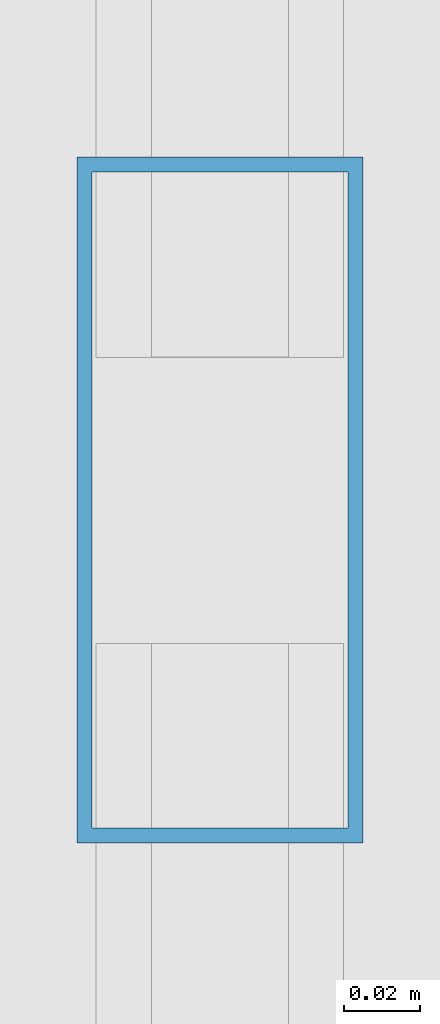
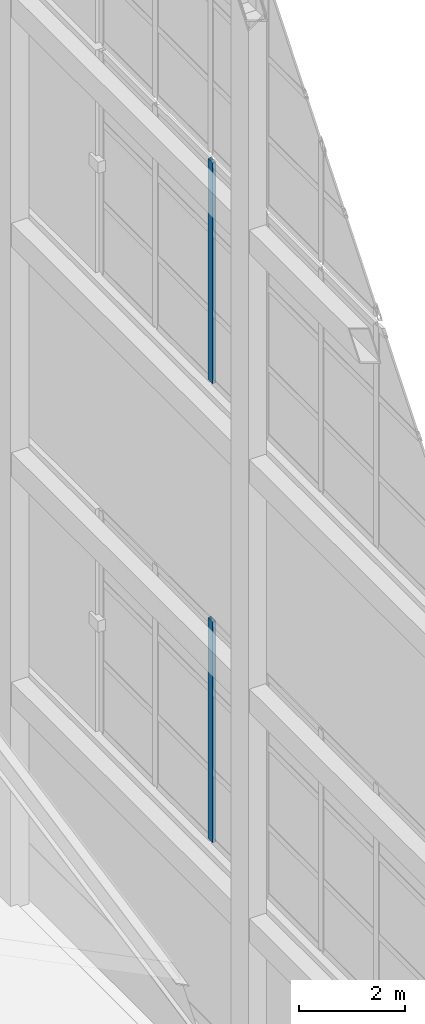
# One storey, part 35 of 47: 2 members, 2 elements without a shape of their own.
"""IFC4 building model written with IfcOpenShell, lengths in metres."""

from ifc_helpers import new_model, si_unit, direction, frame, origin, origin_2d, place, context, subcontext, project, spatial, hollow_rectangle, extrude, material, layer, layer_set, material_profile, profile_set, type_object, element, aggregate, save


model = new_model("IFC4")

# Units and contexts
model_context = context("Model", 3, precision=1e-05, world=origin(), true_north=direction((0.0, 1.0)))
body_context = subcontext(model_context, "Body", "Model", "MODEL_VIEW")
ifc_project = project(units=[si_unit("LENGTHUNIT", "METRE"), si_unit("AREAUNIT", "SQUARE_METRE"), si_unit("VOLUMEUNIT", "CUBIC_METRE"), si_unit("PLANEANGLEUNIT", "RADIAN"), si_unit("MASSUNIT", "GRAM", prefix="KILO")], contexts=[model_context])

# Site, building, storey
site_placement = place(None, origin())
site = spatial("IfcSite", under=ifc_project, at=site_placement, CompositionType="ELEMENT")
building_placement = place(site_placement, origin())
building = spatial("IfcBuilding", under=site, at=building_placement, Name="Qiaolan Cultural Towers", CompositionType="ELEMENT")
storey_placement = place(building_placement, frame((0.0, 0.0, 280.199951171875)))
storey = spatial("IfcBuildingStorey", under=building, at=storey_placement, Name="RF", CompositionType="ELEMENT", Elevation=280.199951171875)

# Curtain wall, member
ifc_material_1 = material(Name="Unitized Anodized Aluminium Curtain Wall System", Category="aluminium")
ifc_layer = layer(ifc_material_1, 0.199951171875)
ifc_layer_set = layer_set([ifc_layer], Name="Unitized Anodized Aluminium Curtain Wall System")
curtain_wall_type = type_object("IfcCurtainWallType", Name="CWS-06", PredefinedType="NOTDEFINED", material=ifc_layer_set)
curtain_wall_1_placement = place(storey_placement, origin())
curtain_wall_1 = element("IfcCurtainWall", 1, at=curtain_wall_1_placement, inside=storey, type_object=curtain_wall_type, Name="T1 Crown Tier 2 Fritted Screen Curtain Wall 3", PredefinedType="NOTDEFINED")
ifc_material_2 = material(Name="Extruded Aluminium 6063-T6", Category="aluminium")
ifc_material_profile = material_profile(ifc_material_2, hollow_rectangle(XDim=0.074951171875, YDim=0.179931640625, WallThickness=0.00390625, at=origin_2d()), Name="CWM-180x75x4")
ifc_profile_set = profile_set([ifc_material_profile], Name="Extruded Aluminium 6063-T6")
member_type = type_object("IfcMemberType", Name="CWS-06-MUL", PredefinedType="MULLION", material=ifc_profile_set)
member_1_placement = place(storey_placement, frame((45.050048828125, 36.090087890625, 5.400146484375), z_axis=(0.0, 0.0, 1.0), x_axis=(-1.0, 0.0, 0.0)))
member_1 = element("IfcMember", 2, at=member_1_placement, type_object=member_type, Name="CW-6 mullion 5", PredefinedType="MULLION", context=body_context, shape_type="SweptSolid", body=[
    extrude(hollow_rectangle(XDim=0.074951171875, YDim=0.179931640625, WallThickness=0.00390625, at=origin_2d()), origin(), (0.0, 0.0, 1.0), 5.099853515625),
])
aggregate(curtain_wall_1, [member_1])

curtain_wall_2_placement = place(storey_placement, origin())
curtain_wall_2 = element("IfcCurtainWall", 3, at=curtain_wall_2_placement, inside=storey, type_object=curtain_wall_type, Name="T1 Crown Tier 4 Fritted Screen Curtain Wall 3", PredefinedType="NOTDEFINED")
member_2_placement = place(storey_placement, frame((45.050048828125, 36.090087890625, 16.0), z_axis=(0.0, 0.0, 1.0), x_axis=(-1.0, 0.0, 0.0)))
member_2 = element("IfcMember", 4, at=member_2_placement, type_object=member_type, Name="CW-6 mullion 5", PredefinedType="MULLION", context=body_context, shape_type="SweptSolid", body=[
    extrude(hollow_rectangle(XDim=0.074951171875, YDim=0.179931640625, WallThickness=0.00390625, at=origin_2d()), origin(), (0.0, 0.0, 1.0), 5.10009765625),
])
aggregate(curtain_wall_2, [member_2])

save(model, "model.ifc")
